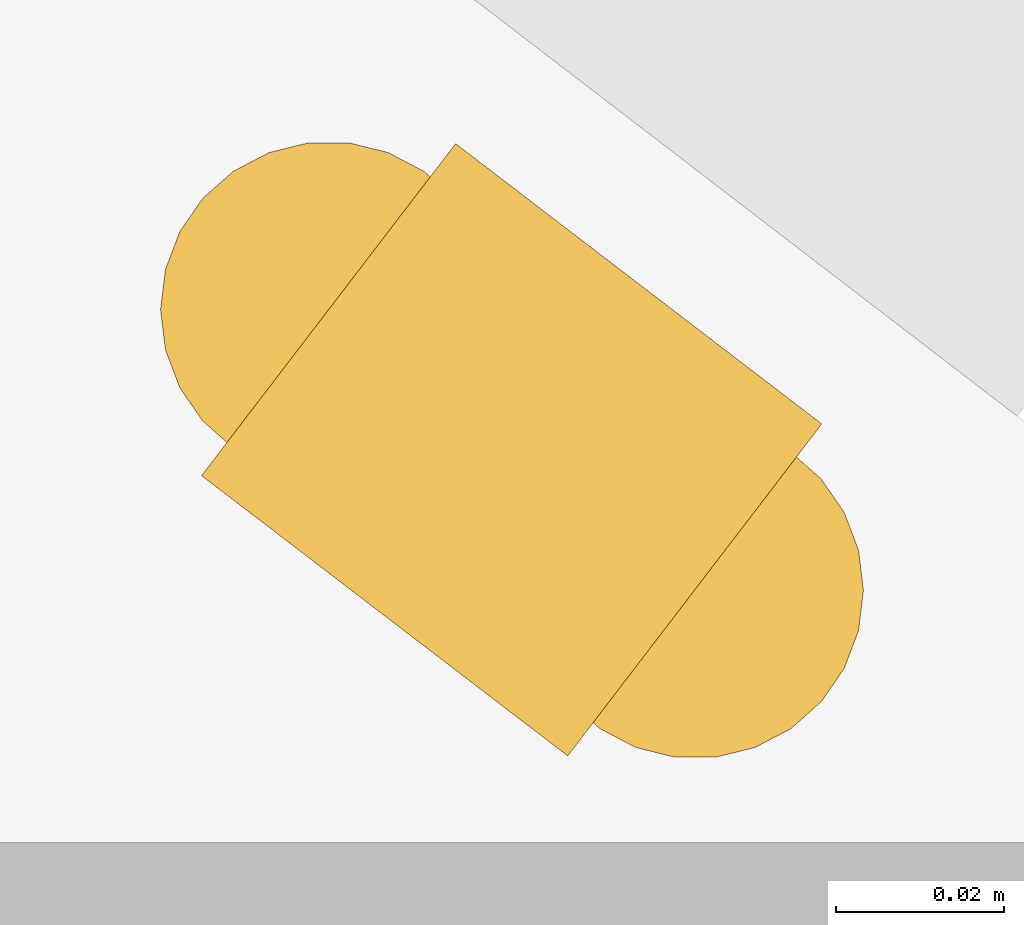
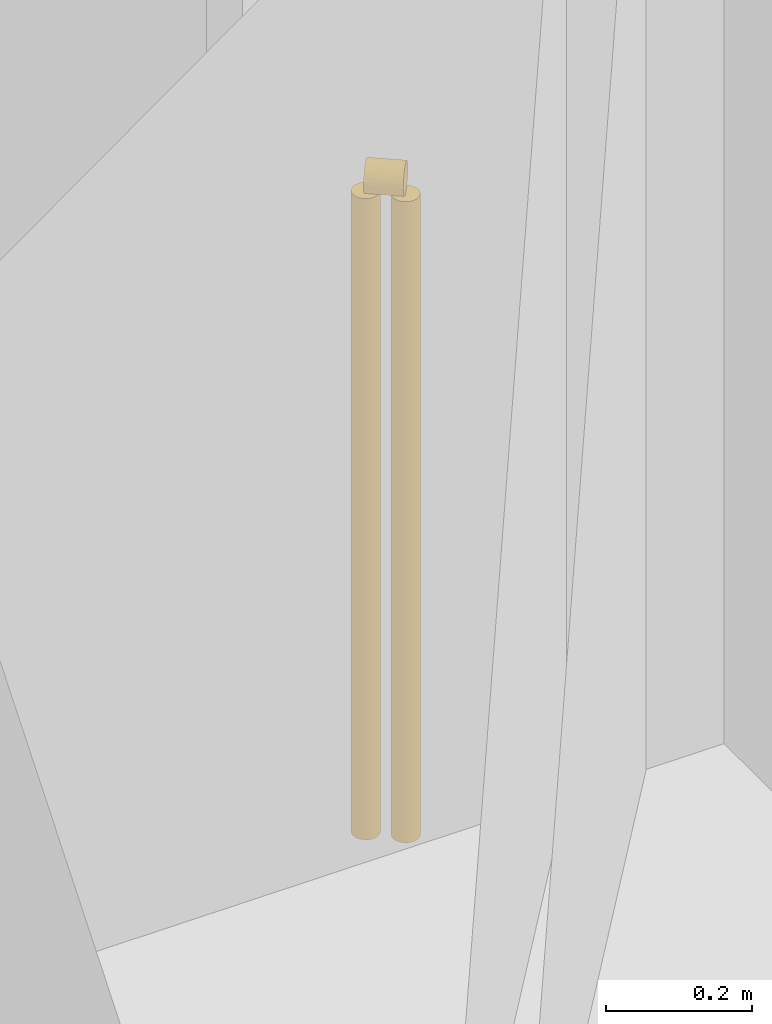
# One storey, part 29 of 29: 1 railing.
"""IFC4 building model written with IfcOpenShell, lengths in metres."""

from ifc_helpers import new_model, si_unit, direction, frame, origin, origin_2d, place, context, subcontext, project, spatial, circle, extrude, material, type_object, element, save


model = new_model("IFC4")

# Units and contexts
model_context = context("Model", 3, precision=1e-05, world=origin(), true_north=direction((0.0, 1.0)))
body_context = subcontext(model_context, "Body", "Model", "MODEL_VIEW")
ifc_project = project(units=[si_unit("LENGTHUNIT", "METRE"), si_unit("AREAUNIT", "SQUARE_METRE"), si_unit("VOLUMEUNIT", "CUBIC_METRE"), si_unit("PLANEANGLEUNIT", "RADIAN"), si_unit("MASSUNIT", "GRAM", prefix="KILO")], contexts=[model_context])

# Site, building, storey
site_placement = place(None, origin())
site = spatial("IfcSite", under=ifc_project, at=site_placement, CompositionType="ELEMENT")
building_placement = place(site_placement, origin())
building = spatial("IfcBuilding", under=site, at=building_placement, Name="Orlundy Tower", CompositionType="ELEMENT")
storey_placement = place(building_placement, frame((0.0, 0.0, 25.10009765625)))
storey = spatial("IfcBuildingStorey", under=building, at=storey_placement, Name="L04", CompositionType="ELEMENT", Elevation=25.10009765625)

# Railing
ifc_material = material(Name="Stainless steel bronze finish", Category="steel")
railing_type = type_object("IfcRailingType", Name="TG1 terrace guard", PredefinedType="GUARDRAIL", material=ifc_material)
railing_placement = place(storey_placement, frame((45.22509765625, -9.54345703125, 0.0)))
element("IfcRailing", 1, at=railing_placement, inside=storey, type_object=railing_type, Name="Guard TG-L04-E00", PredefinedType="GUARDRAIL", context=body_context, shape_type="SweptSolid", body=[
    extrude(circle(Radius=0.02490234375, at=origin_2d()), frame((0.0, 0.0, 1.09521484375), z_axis=(0.794105919742, -0.607779391087, 0.0), x_axis=(0.607779391087, 0.794105919742, 0.0)), (0.0, 0.0, 1.0), 0.054931640625),
    extrude(circle(Radius=0.02001953125, at=origin_2d()), origin(), (0.0, 0.0, 1.0), 1.070068359375),
    extrude(circle(Radius=0.02001953125, at=origin_2d()), frame((0.043701171875, -0.033447265625, 0.0)), (0.0, 0.0, 1.0), 1.070068359375),
])

save(model, "model.ifc")
